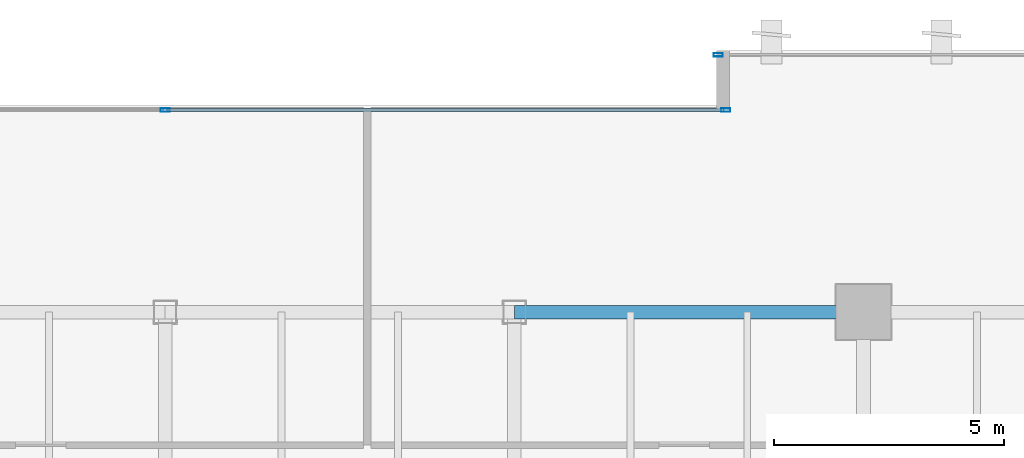
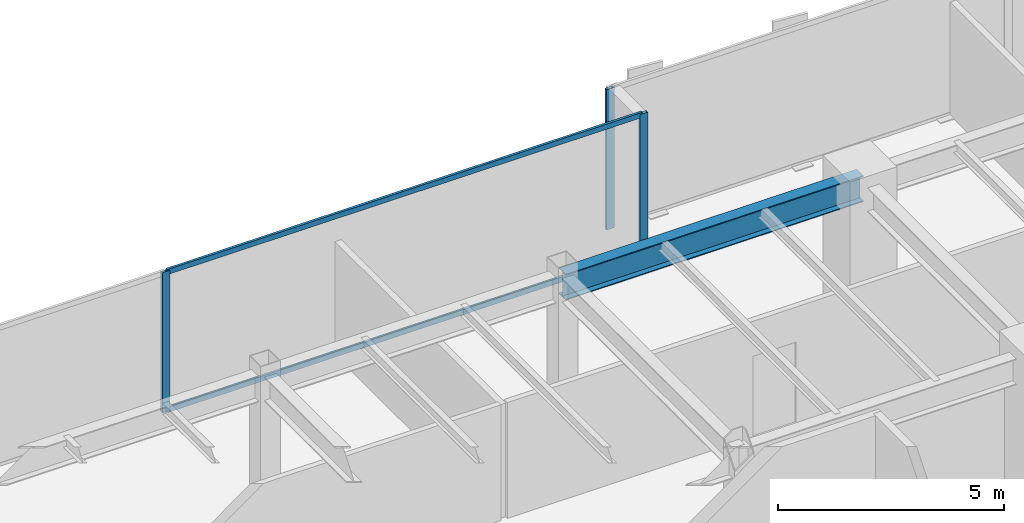
# One storey, part 18 of 34: 5 members, 1 beam, 2 elements without a shape of their own.
"""IFC4 building model written with IfcOpenShell, lengths in metres."""

from ifc_helpers import new_model, si_unit, direction, frame, origin, origin_2d, place, context, subcontext, project, spatial, hollow_rectangle, i_section, extrude, source, transform, mapped, material, layer, layer_set, material_profile, profile_set, type_object, type_shapes, element, aggregate, save


model = new_model("IFC4")

# Units and contexts
model_context = context("Model", 3, precision=1e-05, world=origin(), true_north=direction((0.0, 1.0)))
body_context = subcontext(model_context, "Body", "Model", "MODEL_VIEW")
ifc_project = project(units=[si_unit("LENGTHUNIT", "METRE"), si_unit("AREAUNIT", "SQUARE_METRE"), si_unit("VOLUMEUNIT", "CUBIC_METRE"), si_unit("PLANEANGLEUNIT", "RADIAN"), si_unit("MASSUNIT", "GRAM", prefix="KILO")], contexts=[model_context])

# Site, building, storey
site_placement = place(None, origin())
site = spatial("IfcSite", under=ifc_project, at=site_placement, CompositionType="ELEMENT")
building_placement = place(site_placement, origin())
building = spatial("IfcBuilding", under=site, at=building_placement, Name="Haelvirn Gate Laboratories", CompositionType="ELEMENT")
storey_placement = place(building_placement, frame((0.0, 0.0, 109.199951171875)))
storey = spatial("IfcBuildingStorey", under=building, at=storey_placement, Name="L26", CompositionType="ELEMENT", Elevation=109.199951171875)

# Beam
ifc_material_1 = material(Name="Steel SM355", Category="steel")
ifc_material_profile_1 = material_profile(ifc_material_1, i_section(OverallWidth=0.300048828125, OverallDepth=0.699951171875, WebThickness=0.012939453125, FlangeThickness=0.02392578125, at=origin_2d()), Name="H-700x300x13x24")
ifc_profile_set_1 = profile_set([ifc_material_profile_1], Name="Steel SM355")
beam_type = type_object("IfcBeamType", Name="BM-G-700", PredefinedType="BEAM", material=ifc_profile_set_1)
shared_shape_1 = source(origin(), body_context, "Body", "SweptSolid", [
    extrude(i_section(OverallWidth=0.300048828125, OverallDepth=0.699951171875, WebThickness=0.012939453125, FlangeThickness=0.02392578125, at=origin_2d()), origin(), (0.0, 0.0, 1.0), 7.60009765625),
])
type_shapes(beam_type, [shared_shape_1])
beam_placement = place(storey_placement, frame((45.0, 41.60009765625, 3.43994140625), z_axis=(1.0, 0.0, 0.0), x_axis=(0.0, 1.0, 0.0)))
element("IfcBeam", 1, at=beam_placement, inside=storey, type_object=beam_type, Name="L26 Primary Girder Y41.6 (45.0-52.6)", PredefinedType="BEAM", context=body_context, shape_type="MappedRepresentation", body=[
    mapped(shared_shape_1, transform((0.0, 0.0, 0.0), scale=1.0)),
])

# Curtain wall, members
ifc_material_2 = material(Name="Anodised bronze unitised aluminium & triple low-E glass", Category="aluminium")
ifc_layer = layer(ifc_material_2, 0.179931640625, Name="CW-SYS-3")
ifc_layer_set = layer_set([ifc_layer], Name="Anodised bronze unitised aluminium & triple low-E glass")
curtain_wall_type = type_object("IfcCurtainWallType", Name="CW-SYS-3", PredefinedType="NOTDEFINED", material=ifc_layer_set)
curtain_wall_1_placement = place(storey_placement, origin())
curtain_wall_1 = element("IfcCurtainWall", 2, at=curtain_wall_1_placement, inside=storey, type_object=curtain_wall_type, Name="L26 Unitised Curtain Wall CW-L26-P0-E12-1", PredefinedType="NOTDEFINED")
ifc_material_3 = material(Name="Extruded aluminium 6063-T6 (anodised bronze)", Category="aluminium")
ifc_material_profile_2 = material_profile(ifc_material_3, hollow_rectangle(XDim=0.06494140625, YDim=0.139892578125, WallThickness=0.00390625, at=origin_2d()), Name="CWT-140x65x4")
ifc_profile_set_2 = profile_set([ifc_material_profile_2], Name="Extruded aluminium 6063-T6 (anodised bronze)")
member_type_1 = type_object("IfcMemberType", Name="CWT-T140", PredefinedType="USERDEFINED", material=ifc_profile_set_2)
shared_shape_2 = source(origin(), body_context, "Body", "SweptSolid", [
    extrude(hollow_rectangle(XDim=0.06494140625, YDim=0.139892578125, WallThickness=0.00390625, at=origin_2d()), origin(), (0.0, 0.0, 1.0), 12.12744140625),
])
type_shapes(member_type_1, [shared_shape_2])
member_1_placement = place(storey_placement, frame((37.4375, 46.0, 0.032470703125), z_axis=(1.0, 0.0, 0.0), x_axis=(0.0, 1.0, 0.0)))
member_1 = element("IfcMember", 3, at=member_1_placement, type_object=member_type_1, Name="CW3 transom 2.1", ObjectType="TRANSOM", PredefinedType="USERDEFINED", context=body_context, shape_type="MappedRepresentation", body=[
    mapped(shared_shape_2, transform((0.0, 0.0, 0.0), scale=1.0)),
])
member_2_placement = place(storey_placement, frame((37.4375, 46.0, 3.757568359375), z_axis=(1.0, 0.0, 0.0), x_axis=(0.0, 1.0, 0.0)))
member_2 = element("IfcMember", 4, at=member_2_placement, type_object=member_type_1, Name="CW3 transom 2.2", ObjectType="TRANSOM", PredefinedType="USERDEFINED", context=body_context, shape_type="MappedRepresentation", body=[
    mapped(shared_shape_2, transform((0.0, 0.0, 0.0), scale=1.0)),
])

# Curtain wall, member
curtain_wall_2_placement = place(storey_placement, origin())
curtain_wall_2 = element("IfcCurtainWall", 5, at=curtain_wall_2_placement, inside=storey, type_object=curtain_wall_type, Name="L26 Unitised Curtain Wall CW-L26-P0-E10-1", PredefinedType="NOTDEFINED")
ifc_material_profile_3 = material_profile(ifc_material_3, hollow_rectangle(XDim=0.074951171875, YDim=0.199951171875, WallThickness=0.0048828125, at=origin_2d()), Name="CWM-200x75x5")
ifc_profile_set_3 = profile_set([ifc_material_profile_3], Name="Extruded aluminium 6063-T6 (anodised bronze)")
member_type_2 = type_object("IfcMemberType", Name="CWM-T200", PredefinedType="MULLION", material=ifc_profile_set_3)
shared_shape_3 = source(origin(), body_context, "Body", "SweptSolid", [
    extrude(hollow_rectangle(XDim=0.074951171875, YDim=0.199951171875, WallThickness=0.0048828125, at=origin_2d()), origin(), (0.0, 0.0, 1.0), 3.7900390625),
])
type_shapes(member_type_2, [shared_shape_3])
member_3_placement = place(storey_placement, frame((49.4375, 47.199951171875, 0.0), z_axis=(0.0, 0.0, 1.0), x_axis=(0.0, 1.0, 0.0)))
member_3 = element("IfcMember", 6, at=member_3_placement, type_object=member_type_2, Name="CW3 mullion 1", PredefinedType="MULLION", context=body_context, shape_type="MappedRepresentation", body=[
    mapped(shared_shape_3, transform((0.0, 0.0, 0.0), scale=1.0)),
])
aggregate(curtain_wall_2, [member_3])

# Member
member_4_placement = place(storey_placement, frame((37.39990234375, 46.0, 0.0), z_axis=(0.0, 0.0, 1.0), x_axis=(0.0, 1.0, 0.0)))
member_4 = element("IfcMember", 7, at=member_4_placement, type_object=member_type_2, Name="CW3 mullion 2", PredefinedType="MULLION", context=body_context, shape_type="MappedRepresentation", body=[
    mapped(shared_shape_3, transform((0.0, 0.0, 0.0), scale=1.0)),
])

member_5_placement = place(storey_placement, frame((49.6025390625, 46.0, 0.0), z_axis=(0.0, 0.0, 1.0), x_axis=(0.0, 1.0, 0.0)))
member_5 = element("IfcMember", 8, at=member_5_placement, type_object=member_type_2, Name="CW3 mullion 3", PredefinedType="MULLION", context=body_context, shape_type="MappedRepresentation", body=[
    mapped(shared_shape_3, transform((0.0, 0.0, 0.0), scale=1.0)),
])

aggregate(curtain_wall_1, [member_4, member_5, member_1, member_2])

save(model, "model.ifc")
